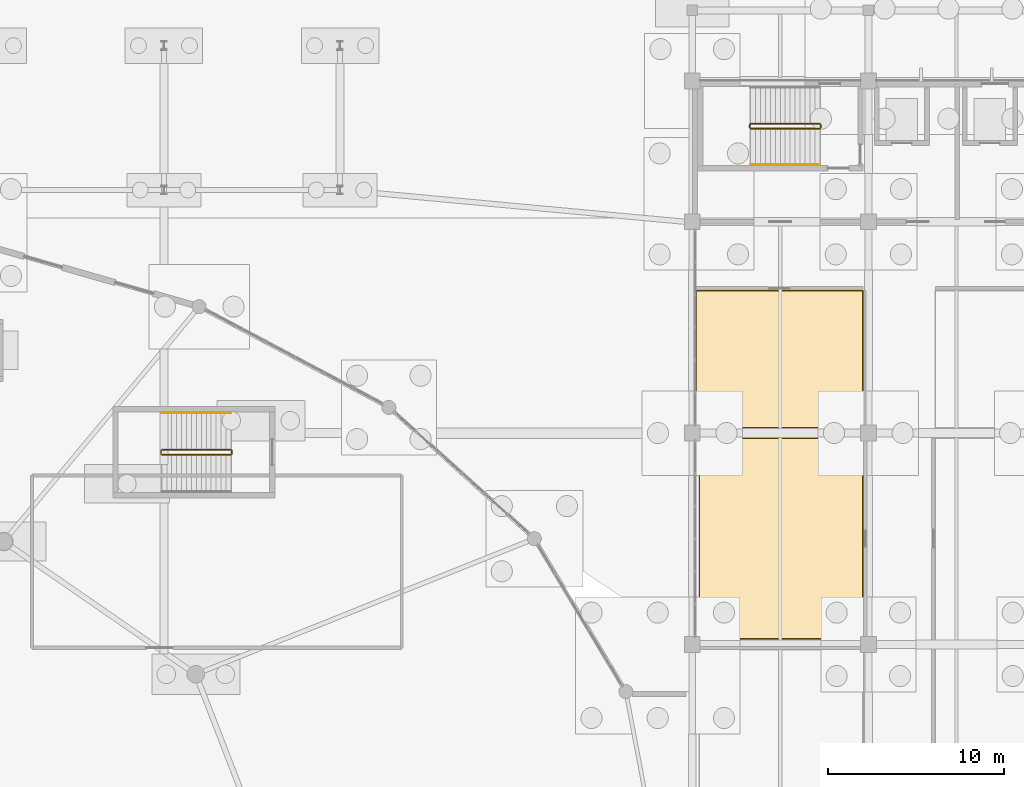
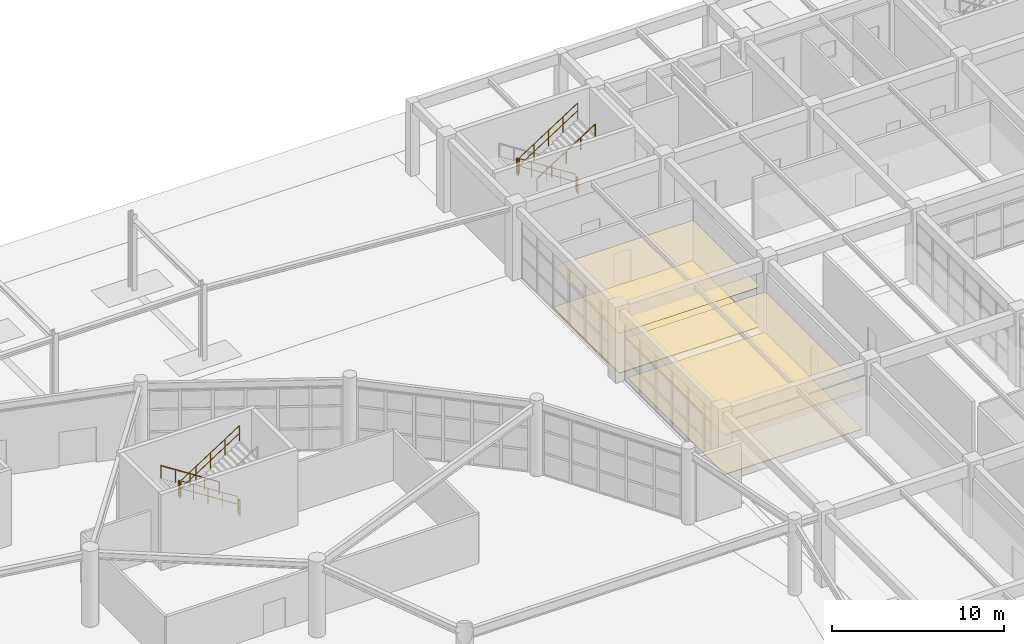
# One storey, part 93 of 99: 10 railings, 4 coverings.
"""IFC4 building model written with IfcOpenShell, lengths in metres."""

from ifc_helpers import new_model, si_unit, direction, frame, origin, origin_2d, place, context, subcontext, project, spatial, polyline, circle, outline, extrude, material, layer, layer_set, type_object, element, save


model = new_model("IFC4")

# Units and contexts
model_context = context("Model", 3, precision=1e-05, world=origin(), true_north=direction((0.0, 1.0)))
body_context = subcontext(model_context, "Body", "Model", "MODEL_VIEW")
ifc_project = project(units=[si_unit("LENGTHUNIT", "METRE"), si_unit("AREAUNIT", "SQUARE_METRE"), si_unit("VOLUMEUNIT", "CUBIC_METRE"), si_unit("PLANEANGLEUNIT", "RADIAN"), si_unit("MASSUNIT", "GRAM", prefix="KILO")], contexts=[model_context])

# Site, building, storey
site_placement = place(None, origin())
site = spatial("IfcSite", under=ifc_project, at=site_placement, CompositionType="ELEMENT")
building_placement = place(site_placement, origin())
building = spatial("IfcBuilding", under=site, at=building_placement, Name="Kivolera Central Railway Station", CompositionType="ELEMENT")
storey_placement = place(building_placement, origin())
storey = spatial("IfcBuildingStorey", under=building, at=storey_placement, Name="L00", CompositionType="ELEMENT", Elevation=0.0)

# Coverings
ifc_material_1 = material(Name="Mineral fibre acoustic tile")
ifc_layer_1 = layer(ifc_material_1, 0.02001953125, Name="Mineral fibre acoustic tile")
ifc_layer_set_1 = layer_set([ifc_layer_1], Name="Mineral fibre acoustic tile")
covering_type_1 = type_object("IfcCoveringType", Name="COV-CEIL-20", PredefinedType="CEILING", material=ifc_layer_set_1)
covering_1_placement = place(storey_placement, frame((0.0, 0.0, 2.85009765625)))
element("IfcCovering", 1, at=covering_1_placement, inside=storey, type_object=covering_type_1, Name="L00 Lost Property and Customer Care Office Acoustic Ceiling", PredefinedType="CEILING", context=body_context, shape_type="SweptSolid", body=[
    extrude(outline(polyline([(118.3798828125, 102.280029296875), (127.719970703125, 102.280029296875), (127.719970703125, 113.719970703125), (118.3798828125, 113.719970703125), (118.3798828125, 102.280029296875)])), origin(), (0.0, 0.0, 1.0), 0.02001953125),
])
ifc_layer_2 = layer(ifc_material_1, 0.030029296875, Name="Mineral fibre acoustic tile")
ifc_layer_set_2 = layer_set([ifc_layer_2], Name="Mineral fibre acoustic tile")
covering_type_2 = type_object("IfcCoveringType", Name="COV-CEIL-30", PredefinedType="CEILING", material=ifc_layer_set_2)
covering_2_placement = place(storey_placement, frame((0.0, 0.0, 2.85009765625)))
element("IfcCovering", 2, at=covering_2_placement, inside=storey, type_object=covering_type_2, Name="L00 Forecourt Newsagent Retail Shop Acoustic Ceiling", PredefinedType="CEILING", context=body_context, shape_type="SweptSolid", body=[
    extrude(outline(polyline([(118.199951171875, 114.280029296875), (127.719970703125, 114.280029296875), (127.719970703125, 122.1201171875), (118.199951171875, 122.1201171875), (118.199951171875, 114.280029296875)])), origin(), (0.0, 0.0, 1.0), 0.02978515625),
])
ifc_material_2 = material(Name="Swahili coral limestone", Category="masonry")
ifc_layer_3 = layer(ifc_material_2, 0.034912109375, Name="Swahili coral limestone")
ifc_layer_set_3 = layer_set([ifc_layer_3], Name="Swahili coral limestone")
covering_type_3 = type_object("IfcCoveringType", Name="COV-FLR-35", PredefinedType="FLOORING", material=ifc_layer_set_3)
covering_3_placement = place(storey_placement, origin())
element("IfcCovering", 3, at=covering_3_placement, inside=storey, type_object=covering_type_3, Name="L00 Forecourt Newsagent Retail Shop Floor Finish", PredefinedType="FLOORING", context=body_context, shape_type="SweptSolid", body=[
    extrude(outline(polyline([(118.239990234375, 114.320068359375), (127.679931640625, 114.320068359375), (127.679931640625, 122.080078125), (118.239990234375, 122.080078125), (118.239990234375, 114.320068359375)])), origin(), (0.0, 0.0, 1.0), 0.034912109375),
])
covering_4_placement = place(storey_placement, origin())
element("IfcCovering", 4, at=covering_4_placement, inside=storey, type_object=covering_type_3, Name="L00 Lost Property and Customer Care Office Floor Finish", PredefinedType="FLOORING", context=body_context, shape_type="SweptSolid", body=[
    extrude(outline(polyline([(118.419921875, 102.320068359375), (127.679931640625, 102.320068359375), (127.679931640625, 113.679931640625), (118.419921875, 113.679931640625), (118.419921875, 102.320068359375)])), origin(), (0.0, 0.0, 1.0), 0.034912109375),
])

# Railings
ifc_material_3 = material(Name="Anodised aluminium", Category="aluminium")
ifc_layer_4 = layer(ifc_material_3, 0.048095703125, Name="Anodised aluminium")
ifc_layer_set_4 = layer_set([ifc_layer_4], Name="Anodised aluminium")
railing_type_1 = type_object("IfcRailingType", Name="RL-STAIR-GUARD", PredefinedType="GUARDRAIL", material=ifc_layer_set_4)
railing_1_placement = place(storey_placement, frame((125.239990234375, 131.570068359375, 0.179931640625)))
element("IfcRailing", 5, at=railing_1_placement, inside=storey, type_object=railing_type_1, Name="L00 ST1 stair guard 1", PredefinedType="GUARDRAIL", context=body_context, shape_type="SweptSolid", body=[
    extrude(circle(Radius=0.02392578125, at=origin_2d()), frame((0.0, 0.0, 1.10595703125), z_axis=(-0.841171666519, 0.0, 0.540768182723), x_axis=(0.0, -1.0, 0.0)), (0.0, 0.0, 1.0), 4.66015625),
    extrude(circle(Radius=0.02392578125, at=origin_2d()), frame((0.0, 0.0, 0.56494140625), z_axis=(-0.841171666519, 0.0, 0.540768182723), x_axis=(0.0, -1.0, 0.0)), (0.0, 0.0, 1.0), 4.66015625),
    extrude(circle(Radius=0.02099609375, at=origin_2d()), origin(), (0.0, 0.0, 1.0), 1.081787109375),
    extrude(circle(Radius=0.02099609375, at=origin_2d()), frame((-0.97998046875, 0.0, 0.6298828125)), (0.0, 0.0, 1.0), 1.081787109375),
    extrude(circle(Radius=0.02099609375, at=origin_2d()), frame((-1.9599609375, 0.0, 1.260009765625)), (0.0, 0.0, 1.0), 1.081787109375),
    extrude(circle(Radius=0.02099609375, at=origin_2d()), frame((-2.93994140625, 0.0, 1.89013671875)), (0.0, 0.0, 1.0), 1.081787109375),
    extrude(circle(Radius=0.02099609375, at=origin_2d()), frame((-3.919921875, 0.0, 2.52001953125)), (0.0, 0.0, 1.0), 1.081787109375),
])
railing_2_placement = place(storey_placement, frame((121.27001953125, 131.52001953125, 2.699951171875)))
element("IfcRailing", 6, at=railing_2_placement, inside=storey, type_object=railing_type_1, Name="L00 ST1 stair guard 2", PredefinedType="GUARDRAIL", context=body_context, shape_type="SweptSolid", body=[
    extrude(circle(Radius=0.02392578125, at=origin_2d()), frame((0.0, 0.0, 1.10595703125), z_axis=(0.0, -1.0, 0.0), x_axis=(1.0, 0.0, 0.0)), (0.0, 0.0, 1.0), 0.179931640625),
    extrude(circle(Radius=0.02392578125, at=origin_2d()), frame((0.0, 0.0, 0.56494140625), z_axis=(0.0, -1.0, 0.0), x_axis=(1.0, 0.0, 0.0)), (0.0, 0.0, 1.0), 0.179931640625),
    extrude(circle(Radius=0.02099609375, at=origin_2d()), origin(), (0.0, 0.0, 1.0), 1.081787109375),
    extrude(circle(Radius=0.02099609375, at=origin_2d()), frame((0.0, -0.179931640625, 0.0)), (0.0, 0.0, 1.0), 1.081787109375),
])
railing_3_placement = place(storey_placement, frame((121.320068359375, 131.2900390625, 2.8798828125)))
element("IfcRailing", 7, at=railing_3_placement, inside=storey, type_object=railing_type_1, Name="L00 ST1 stair guard 3", PredefinedType="GUARDRAIL", context=body_context, shape_type="SweptSolid", body=[
    extrude(circle(Radius=0.02392578125, at=origin_2d()), frame((0.0, 0.0, 1.10595703125), z_axis=(0.841171666519, 0.0, 0.540768182723), x_axis=(0.0, 1.0, 0.0)), (0.0, 0.0, 1.0), 4.66015625),
    extrude(circle(Radius=0.02392578125, at=origin_2d()), frame((0.0, 0.0, 0.56494140625), z_axis=(0.841171666519, 0.0, 0.540768182723), x_axis=(0.0, 1.0, 0.0)), (0.0, 0.0, 1.0), 4.66015625),
    extrude(circle(Radius=0.02099609375, at=origin_2d()), origin(), (0.0, 0.0, 1.0), 1.081787109375),
    extrude(circle(Radius=0.02099609375, at=origin_2d()), frame((0.97998046875, 0.0, 0.6298828125)), (0.0, 0.0, 1.0), 1.081787109375),
    extrude(circle(Radius=0.02099609375, at=origin_2d()), frame((1.9599609375, 0.0, 1.260009765625)), (0.0, 0.0, 1.0), 1.081787109375),
    extrude(circle(Radius=0.02099609375, at=origin_2d()), frame((2.93994140625, 0.0, 1.89013671875)), (0.0, 0.0, 1.0), 1.081787109375),
    extrude(circle(Radius=0.02099609375, at=origin_2d()), frame((3.919921875, 0.0, 2.52001953125)), (0.0, 0.0, 1.0), 1.081787109375),
])
railing_4_placement = place(storey_placement, frame((125.2900390625, 131.52001953125, 0.0)))
element("IfcRailing", 8, at=railing_4_placement, inside=storey, type_object=railing_type_1, Name="L00 ST1 stair guard 4", PredefinedType="GUARDRAIL", context=body_context, shape_type="SweptSolid", body=[
    extrude(circle(Radius=0.02392578125, at=origin_2d()), frame((0.0, 0.0, 1.10595703125), z_axis=(0.0, -1.0, 0.0), x_axis=(1.0, 0.0, 0.0)), (0.0, 0.0, 1.0), 0.179931640625),
    extrude(circle(Radius=0.02392578125, at=origin_2d()), frame((0.0, 0.0, 0.56494140625), z_axis=(0.0, -1.0, 0.0), x_axis=(1.0, 0.0, 0.0)), (0.0, 0.0, 1.0), 0.179931640625),
    extrude(circle(Radius=0.02099609375, at=origin_2d()), origin(), (0.0, 0.0, 1.0), 1.081787109375),
    extrude(circle(Radius=0.02099609375, at=origin_2d()), frame((0.0, -0.179931640625, 0.0)), (0.0, 0.0, 1.0), 1.081787109375),
])
railing_5_placement = place(storey_placement, frame((91.800048828125, 113.050048828125, 0.179931640625)))
element("IfcRailing", 9, at=railing_5_placement, inside=storey, type_object=railing_type_1, Name="L00 ST7 stair guard 1", PredefinedType="GUARDRAIL", context=body_context, shape_type="SweptSolid", body=[
    extrude(circle(Radius=0.02392578125, at=origin_2d()), frame((0.0, 0.0, 1.10595703125), z_axis=(-0.841186985886, 0.0, 0.540744352514), x_axis=(0.0, -1.0, 0.0)), (0.0, 0.0, 1.0), 4.660400390625),
    extrude(circle(Radius=0.02392578125, at=origin_2d()), frame((0.0, 0.0, 0.56494140625), z_axis=(-0.841186985886, 0.0, 0.540744352514), x_axis=(0.0, -1.0, 0.0)), (0.0, 0.0, 1.0), 4.660400390625),
    extrude(circle(Radius=0.02099609375, at=origin_2d()), origin(), (0.0, 0.0, 1.0), 1.081787109375),
    extrude(circle(Radius=0.02099609375, at=origin_2d()), frame((-0.97998046875, 0.0, 0.6298828125)), (0.0, 0.0, 1.0), 1.081787109375),
    extrude(circle(Radius=0.02099609375, at=origin_2d()), frame((-1.9599609375, 0.0, 1.260009765625)), (0.0, 0.0, 1.0), 1.081787109375),
    extrude(circle(Radius=0.02099609375, at=origin_2d()), frame((-2.940185546875, 0.0, 1.89013671875)), (0.0, 0.0, 1.0), 1.081787109375),
    extrude(circle(Radius=0.02099609375, at=origin_2d()), frame((-3.920166015625, 0.0, 2.52001953125)), (0.0, 0.0, 1.0), 1.081787109375),
])
railing_6_placement = place(storey_placement, frame((87.830078125, 113.0, 2.699951171875)))
element("IfcRailing", 10, at=railing_6_placement, inside=storey, type_object=railing_type_1, Name="L00 ST7 stair guard 2", PredefinedType="GUARDRAIL", context=body_context, shape_type="SweptSolid", body=[
    extrude(circle(Radius=0.02392578125, at=origin_2d()), frame((0.0, 0.0, 1.10595703125), z_axis=(0.0, -1.0, 0.0), x_axis=(1.0, 0.0, 0.0)), (0.0, 0.0, 1.0), 0.179931640625),
    extrude(circle(Radius=0.02392578125, at=origin_2d()), frame((0.0, 0.0, 0.56494140625), z_axis=(0.0, -1.0, 0.0), x_axis=(1.0, 0.0, 0.0)), (0.0, 0.0, 1.0), 0.179931640625),
    extrude(circle(Radius=0.02099609375, at=origin_2d()), origin(), (0.0, 0.0, 1.0), 1.081787109375),
    extrude(circle(Radius=0.02099609375, at=origin_2d()), frame((0.0, -0.179931640625, 0.0)), (0.0, 0.0, 1.0), 1.081787109375),
])
railing_7_placement = place(storey_placement, frame((87.8798828125, 112.77001953125, 2.8798828125)))
element("IfcRailing", 11, at=railing_7_placement, inside=storey, type_object=railing_type_1, Name="L00 ST7 stair guard 3", PredefinedType="GUARDRAIL", context=body_context, shape_type="SweptSolid", body=[
    extrude(circle(Radius=0.02392578125, at=origin_2d()), frame((0.0, 0.0, 1.10595703125), z_axis=(0.841186985886, 0.0, 0.540744352514), x_axis=(0.0, 1.0, 0.0)), (0.0, 0.0, 1.0), 4.660400390625),
    extrude(circle(Radius=0.02392578125, at=origin_2d()), frame((0.0, 0.0, 0.56494140625), z_axis=(0.841186985886, 0.0, 0.540744352514), x_axis=(0.0, 1.0, 0.0)), (0.0, 0.0, 1.0), 4.660400390625),
    extrude(circle(Radius=0.02099609375, at=origin_2d()), origin(), (0.0, 0.0, 1.0), 1.081787109375),
    extrude(circle(Radius=0.02099609375, at=origin_2d()), frame((0.97998046875, 0.0, 0.6298828125)), (0.0, 0.0, 1.0), 1.081787109375),
    extrude(circle(Radius=0.02099609375, at=origin_2d()), frame((1.9599609375, 0.0, 1.260009765625)), (0.0, 0.0, 1.0), 1.081787109375),
    extrude(circle(Radius=0.02099609375, at=origin_2d()), frame((2.940185546875, 0.0, 1.89013671875)), (0.0, 0.0, 1.0), 1.081787109375),
    extrude(circle(Radius=0.02099609375, at=origin_2d()), frame((3.920166015625, 0.0, 2.52001953125)), (0.0, 0.0, 1.0), 1.081787109375),
])
railing_8_placement = place(storey_placement, frame((91.85009765625, 113.0, 0.0)))
element("IfcRailing", 12, at=railing_8_placement, inside=storey, type_object=railing_type_1, Name="L00 ST7 stair guard 4", PredefinedType="GUARDRAIL", context=body_context, shape_type="SweptSolid", body=[
    extrude(circle(Radius=0.02392578125, at=origin_2d()), frame((0.0, 0.0, 1.10595703125), z_axis=(0.0, -1.0, 0.0), x_axis=(1.0, 0.0, 0.0)), (0.0, 0.0, 1.0), 0.179931640625),
    extrude(circle(Radius=0.02392578125, at=origin_2d()), frame((0.0, 0.0, 0.56494140625), z_axis=(0.0, -1.0, 0.0), x_axis=(1.0, 0.0, 0.0)), (0.0, 0.0, 1.0), 0.179931640625),
    extrude(circle(Radius=0.02099609375, at=origin_2d()), origin(), (0.0, 0.0, 1.0), 1.081787109375),
    extrude(circle(Radius=0.02099609375, at=origin_2d()), frame((0.0, -0.179931640625, 0.0)), (0.0, 0.0, 1.0), 1.081787109375),
])
ifc_layer_5 = layer(ifc_material_3, 0.048095703125, Name="Anodised aluminium")
ifc_layer_set_5 = layer_set([ifc_layer_5], Name="Anodised aluminium")
railing_type_2 = type_object("IfcRailingType", Name="RL-STAIR-HAND", PredefinedType="HANDRAIL", material=ifc_layer_set_5)
railing_9_placement = place(storey_placement, frame((121.320068359375, 129.22998046875, 2.8798828125)))
element("IfcRailing", 13, at=railing_9_placement, inside=storey, type_object=railing_type_2, Name="L00 ST1 stair handrail 2", PredefinedType="HANDRAIL", context=body_context, shape_type="SweptSolid", body=[
    extrude(circle(Radius=0.02392578125, at=origin_2d()), frame((0.0, 0.0, 0.8759765625), z_axis=(0.841171666519, 0.0, 0.540768182723), x_axis=(0.0, 1.0, 0.0)), (0.0, 0.0, 1.0), 4.66015625),
    extrude(circle(Radius=0.02099609375, at=origin_2d()), origin(), (0.0, 0.0, 1.0), 0.851806640625),
    extrude(circle(Radius=0.02099609375, at=origin_2d()), frame((0.97998046875, 0.0, 0.6298828125)), (0.0, 0.0, 1.0), 0.851806640625),
    extrude(circle(Radius=0.02099609375, at=origin_2d()), frame((1.9599609375, 0.0, 1.260009765625)), (0.0, 0.0, 1.0), 0.851806640625),
    extrude(circle(Radius=0.02099609375, at=origin_2d()), frame((2.93994140625, 0.0, 1.89013671875)), (0.0, 0.0, 1.0), 0.851806640625),
    extrude(circle(Radius=0.02099609375, at=origin_2d()), frame((3.919921875, 0.0, 2.52001953125)), (0.0, 0.0, 1.0), 0.851806640625),
])
railing_10_placement = place(storey_placement, frame((91.800048828125, 115.14990234375, 0.179931640625)))
element("IfcRailing", 14, at=railing_10_placement, inside=storey, type_object=railing_type_2, Name="L00 ST7 stair handrail 1", PredefinedType="HANDRAIL", context=body_context, shape_type="SweptSolid", body=[
    extrude(circle(Radius=0.02392578125, at=origin_2d()), frame((0.0, 0.0, 0.8759765625), z_axis=(-0.841186985886, 0.0, 0.540744352514), x_axis=(0.0, -1.0, 0.0)), (0.0, 0.0, 1.0), 4.660400390625),
    extrude(circle(Radius=0.02099609375, at=origin_2d()), origin(), (0.0, 0.0, 1.0), 0.851806640625),
    extrude(circle(Radius=0.02099609375, at=origin_2d()), frame((-0.97998046875, 0.0, 0.6298828125)), (0.0, 0.0, 1.0), 0.851806640625),
    extrude(circle(Radius=0.02099609375, at=origin_2d()), frame((-1.9599609375, 0.0, 1.260009765625)), (0.0, 0.0, 1.0), 0.851806640625),
    extrude(circle(Radius=0.02099609375, at=origin_2d()), frame((-2.940185546875, 0.0, 1.89013671875)), (0.0, 0.0, 1.0), 0.851806640625),
    extrude(circle(Radius=0.02099609375, at=origin_2d()), frame((-3.920166015625, 0.0, 2.52001953125)), (0.0, 0.0, 1.0), 0.851806640625),
])

save(model, "model.ifc")
